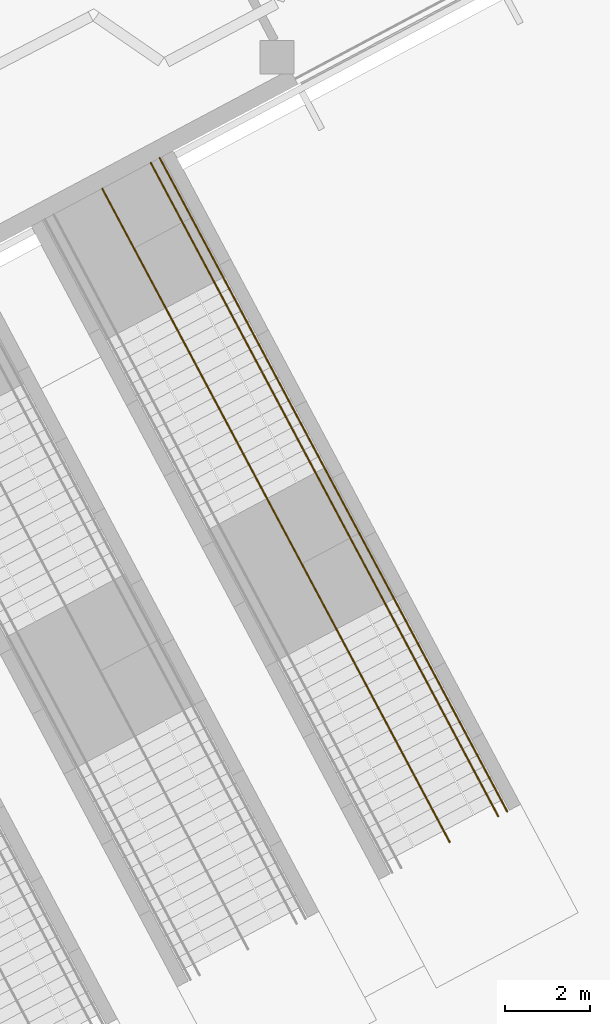
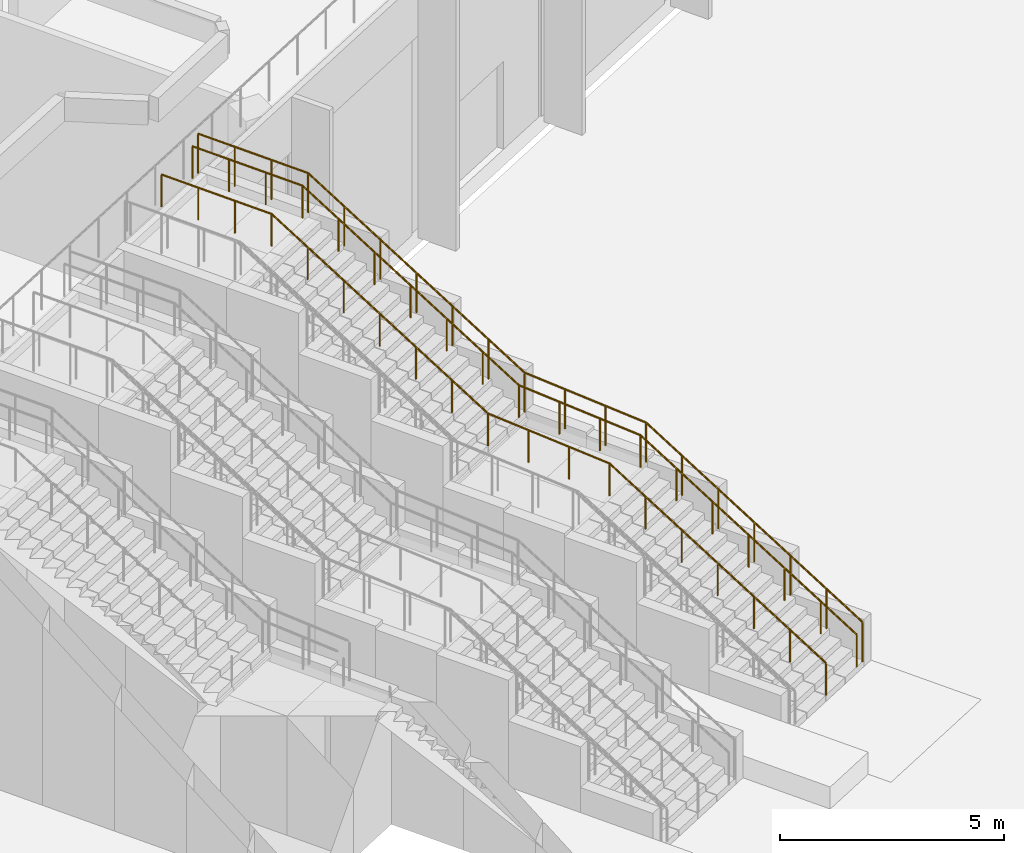
# One storey, part 50 of 57: 3 railings.
"""IFC4 building model written with IfcOpenShell, lengths in metres."""

from ifc_helpers import new_model, si_unit, direction, frame, origin, place, context, subcontext, project, spatial, polyline, outline, extrude, material, type_object, element, save


model = new_model("IFC4")

# Units and contexts
model_context = context("Model", 3, precision=1e-05, world=origin(), true_north=direction((0.0, 1.0)))
body_context = subcontext(model_context, "Body", "Model", "MODEL_VIEW")
ifc_project = project(units=[si_unit("LENGTHUNIT", "METRE"), si_unit("AREAUNIT", "SQUARE_METRE"), si_unit("VOLUMEUNIT", "CUBIC_METRE"), si_unit("PLANEANGLEUNIT", "RADIAN"), si_unit("MASSUNIT", "GRAM", prefix="KILO")], contexts=[model_context])

# Site, building, storey
site_placement = place(None, origin())
site = spatial("IfcSite", under=ifc_project, at=site_placement, CompositionType="ELEMENT")
building_placement = place(site_placement, origin())
building = spatial("IfcBuilding", under=site, at=building_placement, Name="Cormorant Relay Tower", CompositionType="ELEMENT")
storey_placement = place(building_placement, origin())
storey = spatial("IfcBuildingStorey", under=building, at=storey_placement, Name="L00", CompositionType="ELEMENT", Elevation=0.0)

# Railings
ifc_material_1 = material(Name="Stainless steel 316", Category="steel")
railing_type_1 = type_object("IfcRailingType", Name="Podium stair handrail 900", PredefinedType="HANDRAIL", material=ifc_material_1)
railing_1_placement = place(storey_placement, frame((47.99072265625, -11.857666015625, 7.0)))
element("IfcRailing", 1, at=railing_1_placement, inside=storey, type_object=railing_type_1, Name="Stair handrail", PredefinedType="HANDRAIL", context=body_context, shape_type="SweptSolid", body=[
    extrude(outline(polyline([(0.022216796875, 0.00927734375), (0.00927734375, 0.022216796875), (-0.00927734375, 0.022216796875), (-0.022216796875, 0.00927734375), (-0.022216796875, -0.00927734375), (-0.00927734375, -0.022216796875), (0.00927734375, -0.022216796875), (0.022216796875, -0.00927734375), (0.022216796875, 0.00927734375)])), frame((0.0, 0.0, 0.8759765625), z_axis=(0.469434248776, -0.882967432059, 0.0), x_axis=(0.882967432059, 0.469434248776, 0.0)), (0.0, 0.0, 1.0), 2.89990234375),
    extrude(outline(polyline([(0.022216796875, 0.00927734375), (0.00927734375, 0.022216796875), (-0.00927734375, 0.022216796875), (-0.022216796875, 0.00927734375), (-0.022216796875, -0.00927734375), (-0.00927734375, -0.022216796875), (0.00927734375, -0.022216796875), (0.022216796875, -0.00927734375), (0.022216796875, 0.00927734375)])), frame((1.361328125, -2.560546875, 0.8759765625), z_axis=(0.4055184971, -0.762682585322, -0.503855160296), x_axis=(0.882950964929, 0.46946522079, 0.0)), (0.0, 0.0, 1.0), 6.59912109375),
    extrude(outline(polyline([(0.022216796875, 0.00927734375), (0.00927734375, 0.022216796875), (-0.00927734375, 0.022216796875), (-0.022216796875, 0.00927734375), (-0.022216796875, -0.00927734375), (-0.00927734375, -0.022216796875), (0.00927734375, -0.022216796875), (0.022216796875, -0.00927734375), (0.022216796875, 0.00927734375)])), frame((4.037353515625, -7.593505859375, -2.44921875), z_axis=(0.468802026207, -0.881612910187, -0.05461993058), x_axis=(0.88293093413, 0.469502891958, 0.0)), (0.0, 0.0, 1.0), 3.204833984375),
    extrude(outline(polyline([(0.022216796875, 0.00927734375), (0.00927734375, 0.022216796875), (-0.00927734375, 0.022216796875), (-0.022216796875, 0.00927734375), (-0.022216796875, -0.00927734375), (-0.00927734375, -0.022216796875), (0.00927734375, -0.022216796875), (0.022216796875, -0.00927734375), (0.022216796875, 0.00927734375)])), frame((5.539794921875, -10.4189453125, -2.6240234375), z_axis=(0.405499025835, -0.762678550964, -0.503876937304), x_axis=(0.88295927941, 0.469449582921, 0.0)), (0.0, 0.0, 1.0), 6.5986328125),
    extrude(outline(polyline([(0.019287109375, 0.008056640625), (0.008056640625, 0.019287109375), (-0.008056640625, 0.019287109375), (-0.019287109375, 0.008056640625), (-0.019287109375, -0.008056640625), (-0.008056640625, -0.019287109375), (0.008056640625, -0.019287109375), (0.019287109375, -0.008056640625), (0.019287109375, 0.008056640625)])), origin(), (0.0, 0.0, 1.0), 0.851806640625),
    extrude(outline(polyline([(0.019287109375, 0.008056640625), (0.008056640625, 0.019287109375), (-0.008056640625, 0.019287109375), (-0.019287109375, 0.008056640625), (-0.019287109375, -0.008056640625), (-0.008056640625, -0.019287109375), (0.008056640625, -0.019287109375), (0.019287109375, -0.008056640625), (0.019287109375, 0.008056640625)])), frame((0.453857421875, -0.853515625, 0.0)), (0.0, 0.0, 1.0), 0.851806640625),
    extrude(outline(polyline([(0.019287109375, 0.008056640625), (0.008056640625, 0.019287109375), (-0.008056640625, 0.019287109375), (-0.019287109375, 0.008056640625), (-0.019287109375, -0.008056640625), (-0.008056640625, -0.019287109375), (0.008056640625, -0.019287109375), (0.019287109375, -0.008056640625), (0.019287109375, 0.008056640625)])), frame((0.907470703125, -1.70703125, 0.0)), (0.0, 0.0, 1.0), 0.851806640625),
    extrude(outline(polyline([(0.019287109375, 0.008056640625), (0.008056640625, 0.019287109375), (-0.008056640625, 0.019287109375), (-0.019287109375, 0.008056640625), (-0.019287109375, -0.008056640625), (-0.008056640625, -0.019287109375), (0.008056640625, -0.019287109375), (0.019287109375, -0.008056640625), (0.019287109375, 0.008056640625)])), frame((1.361328125, -2.560546875, 0.0)), (0.0, 0.0, 1.0), 0.851806640625),
    extrude(outline(polyline([(0.019287109375, 0.008056640625), (0.008056640625, 0.019287109375), (-0.008056640625, 0.019287109375), (-0.019287109375, 0.008056640625), (-0.019287109375, -0.008056640625), (-0.008056640625, -0.019287109375), (0.008056640625, -0.019287109375), (0.019287109375, -0.008056640625), (0.019287109375, 0.008056640625)])), frame((1.807373046875, -3.3994140625, -0.55419921875)), (0.0, 0.0, 1.0), 0.851806640625),
    extrude(outline(polyline([(0.019287109375, 0.008056640625), (0.008056640625, 0.019287109375), (-0.008056640625, 0.019287109375), (-0.019287109375, 0.008056640625), (-0.019287109375, -0.008056640625), (-0.008056640625, -0.019287109375), (0.008056640625, -0.019287109375), (0.019287109375, -0.008056640625), (0.019287109375, 0.008056640625)])), frame((2.25341796875, -4.23828125, -1.1083984375)), (0.0, 0.0, 1.0), 0.851806640625),
    extrude(outline(polyline([(0.019287109375, 0.008056640625), (0.008056640625, 0.019287109375), (-0.008056640625, 0.019287109375), (-0.019287109375, 0.008056640625), (-0.019287109375, -0.008056640625), (-0.008056640625, -0.019287109375), (0.008056640625, -0.019287109375), (0.019287109375, -0.008056640625), (0.019287109375, 0.008056640625)])), frame((2.69921875, -5.0771484375, -1.66259765625)), (0.0, 0.0, 1.0), 0.851806640625),
    extrude(outline(polyline([(0.019287109375, 0.008056640625), (0.008056640625, 0.019287109375), (-0.008056640625, 0.019287109375), (-0.019287109375, 0.008056640625), (-0.019287109375, -0.008056640625), (-0.008056640625, -0.019287109375), (0.008056640625, -0.019287109375), (0.019287109375, -0.008056640625), (0.019287109375, 0.008056640625)])), frame((3.145263671875, -5.915771484375, -2.216552734375)), (0.0, 0.0, 1.0), 0.851806640625),
    extrude(outline(polyline([(0.019287109375, 0.008056640625), (0.008056640625, 0.019287109375), (-0.008056640625, 0.019287109375), (-0.019287109375, 0.008056640625), (-0.019287109375, -0.008056640625), (-0.008056640625, -0.019287109375), (0.008056640625, -0.019287109375), (0.019287109375, -0.008056640625), (0.019287109375, 0.008056640625)])), frame((3.59130859375, -6.754638671875, -2.770751953125)), (0.0, 0.0, 1.0), 0.851806640625),
    extrude(outline(polyline([(0.019287109375, 0.008056640625), (0.008056640625, 0.019287109375), (-0.008056640625, 0.019287109375), (-0.019287109375, 0.008056640625), (-0.019287109375, -0.008056640625), (-0.008056640625, -0.019287109375), (0.008056640625, -0.019287109375), (0.019287109375, -0.008056640625), (0.019287109375, 0.008056640625)])), frame((4.037353515625, -7.593505859375, -3.324951171875)), (0.0, 0.0, 1.0), 0.851806640625),
    extrude(outline(polyline([(0.019287109375, 0.008056640625), (0.008056640625, 0.019287109375), (-0.008056640625, 0.019287109375), (-0.019287109375, 0.008056640625), (-0.019287109375, -0.008056640625), (-0.008056640625, -0.019287109375), (0.008056640625, -0.019287109375), (0.019287109375, -0.008056640625), (0.019287109375, 0.008056640625)])), frame((4.5380859375, -8.535400390625, -3.38330078125)), (0.0, 0.0, 1.0), 0.851806640625),
    extrude(outline(polyline([(0.019287109375, 0.008056640625), (0.008056640625, 0.019287109375), (-0.008056640625, 0.019287109375), (-0.019287109375, 0.008056640625), (-0.019287109375, -0.008056640625), (-0.008056640625, -0.019287109375), (0.008056640625, -0.019287109375), (0.019287109375, -0.008056640625), (0.019287109375, 0.008056640625)])), frame((5.0390625, -9.47705078125, -3.441650390625)), (0.0, 0.0, 1.0), 0.851806640625),
    extrude(outline(polyline([(0.019287109375, 0.008056640625), (0.008056640625, 0.019287109375), (-0.008056640625, 0.019287109375), (-0.019287109375, 0.008056640625), (-0.019287109375, -0.008056640625), (-0.008056640625, -0.019287109375), (0.008056640625, -0.019287109375), (0.019287109375, -0.008056640625), (0.019287109375, 0.008056640625)])), frame((5.539794921875, -10.4189453125, -3.5)), (0.0, 0.0, 1.0), 0.851806640625),
    extrude(outline(polyline([(0.019287109375, 0.008056640625), (0.008056640625, 0.019287109375), (-0.008056640625, 0.019287109375), (-0.019287109375, 0.008056640625), (-0.019287109375, -0.008056640625), (-0.008056640625, -0.019287109375), (0.008056640625, -0.019287109375), (0.019287109375, -0.008056640625), (0.019287109375, 0.008056640625)])), frame((5.98583984375, -11.2578125, -4.05419921875)), (0.0, 0.0, 1.0), 0.851806640625),
    extrude(outline(polyline([(0.019287109375, 0.008056640625), (0.008056640625, 0.019287109375), (-0.008056640625, 0.019287109375), (-0.019287109375, 0.008056640625), (-0.019287109375, -0.008056640625), (-0.008056640625, -0.019287109375), (0.008056640625, -0.019287109375), (0.019287109375, -0.008056640625), (0.019287109375, 0.008056640625)])), frame((6.431640625, -12.096435546875, -4.6083984375)), (0.0, 0.0, 1.0), 0.851806640625),
    extrude(outline(polyline([(0.019287109375, 0.008056640625), (0.008056640625, 0.019287109375), (-0.008056640625, 0.019287109375), (-0.019287109375, 0.008056640625), (-0.019287109375, -0.008056640625), (-0.008056640625, -0.019287109375), (0.008056640625, -0.019287109375), (0.019287109375, -0.008056640625), (0.019287109375, 0.008056640625)])), frame((6.877685546875, -12.935302734375, -5.16259765625)), (0.0, 0.0, 1.0), 0.851806640625),
    extrude(outline(polyline([(0.019287109375, 0.008056640625), (0.008056640625, 0.019287109375), (-0.008056640625, 0.019287109375), (-0.019287109375, 0.008056640625), (-0.019287109375, -0.008056640625), (-0.008056640625, -0.019287109375), (0.008056640625, -0.019287109375), (0.019287109375, -0.008056640625), (0.019287109375, 0.008056640625)])), frame((7.32373046875, -13.774169921875, -5.716552734375)), (0.0, 0.0, 1.0), 0.851806640625),
    extrude(outline(polyline([(0.019287109375, 0.008056640625), (0.008056640625, 0.019287109375), (-0.008056640625, 0.019287109375), (-0.019287109375, 0.008056640625), (-0.019287109375, -0.008056640625), (-0.008056640625, -0.019287109375), (0.008056640625, -0.019287109375), (0.019287109375, -0.008056640625), (0.019287109375, 0.008056640625)])), frame((7.76953125, -14.61279296875, -6.270751953125)), (0.0, 0.0, 1.0), 0.851806640625),
    extrude(outline(polyline([(0.019287109375, 0.008056640625), (0.008056640625, 0.019287109375), (-0.008056640625, 0.019287109375), (-0.019287109375, 0.008056640625), (-0.019287109375, -0.008056640625), (-0.008056640625, -0.019287109375), (0.008056640625, -0.019287109375), (0.019287109375, -0.008056640625), (0.019287109375, 0.008056640625)])), frame((8.215576171875, -15.45166015625, -6.824951171875)), (0.0, 0.0, 1.0), 0.851806640625),
])
railing_2_placement = place(storey_placement, frame((49.138427734375, -11.247314453125, 7.0)))
element("IfcRailing", 2, at=railing_2_placement, inside=storey, type_object=railing_type_1, Name="Stair handrail", PredefinedType="HANDRAIL", context=body_context, shape_type="SweptSolid", body=[
    extrude(outline(polyline([(0.022216796875, 0.00927734375), (0.00927734375, 0.022216796875), (-0.00927734375, 0.022216796875), (-0.022216796875, 0.00927734375), (-0.022216796875, -0.00927734375), (-0.00927734375, -0.022216796875), (0.00927734375, -0.022216796875), (0.022216796875, -0.00927734375), (0.022216796875, 0.00927734375)])), frame((0.0, 0.0, 0.8759765625), z_axis=(0.469464985218, -0.882951090183, 0.0), x_axis=(0.882951090183, 0.469464985218, 0.0)), (0.0, 0.0, 1.0), 2.900146484375),
    extrude(outline(polyline([(0.022216796875, 0.00927734375), (0.00927734375, 0.022216796875), (-0.00927734375, 0.022216796875), (-0.022216796875, 0.00927734375), (-0.022216796875, -0.00927734375), (-0.00927734375, -0.022216796875), (0.00927734375, -0.022216796875), (0.022216796875, -0.00927734375), (0.022216796875, 0.00927734375)])), frame((1.361572265625, -2.560791015625, 0.8759765625), z_axis=(0.405499025835, -0.762678550964, -0.503876937304), x_axis=(0.88295927941, 0.469449582921, 0.0)), (0.0, 0.0, 1.0), 6.5986328125),
    extrude(outline(polyline([(0.022216796875, 0.00927734375), (0.00927734375, 0.022216796875), (-0.00927734375, 0.022216796875), (-0.022216796875, 0.00927734375), (-0.022216796875, -0.00927734375), (-0.00927734375, -0.022216796875), (0.00927734375, -0.022216796875), (0.022216796875, -0.00927734375), (0.022216796875, 0.00927734375)])), frame((4.037353515625, -7.593505859375, -2.44921875), z_axis=(0.468802026207, -0.881612910187, -0.05461993058), x_axis=(0.88293093413, 0.469502891958, 0.0)), (0.0, 0.0, 1.0), 3.204833984375),
    extrude(outline(polyline([(0.022216796875, 0.00927734375), (0.00927734375, 0.022216796875), (-0.00927734375, 0.022216796875), (-0.022216796875, 0.00927734375), (-0.022216796875, -0.00927734375), (-0.00927734375, -0.022216796875), (0.00927734375, -0.022216796875), (0.022216796875, -0.00927734375), (0.022216796875, 0.00927734375)])), frame((5.539794921875, -10.4189453125, -2.6240234375), z_axis=(0.40552993965, -0.762667108471, -0.50386937762), x_axis=(0.882941524652, 0.469482975245, 0.0)), (0.0, 0.0, 1.0), 6.598876953125),
    extrude(outline(polyline([(0.019287109375, 0.008056640625), (0.008056640625, 0.019287109375), (-0.008056640625, 0.019287109375), (-0.019287109375, 0.008056640625), (-0.019287109375, -0.008056640625), (-0.008056640625, -0.019287109375), (0.008056640625, -0.019287109375), (0.019287109375, -0.008056640625), (0.019287109375, 0.008056640625)])), origin(), (0.0, 0.0, 1.0), 0.851806640625),
    extrude(outline(polyline([(0.019287109375, 0.008056640625), (0.008056640625, 0.019287109375), (-0.008056640625, 0.019287109375), (-0.019287109375, 0.008056640625), (-0.019287109375, -0.008056640625), (-0.008056640625, -0.019287109375), (0.008056640625, -0.019287109375), (0.019287109375, -0.008056640625), (0.019287109375, 0.008056640625)])), frame((0.453857421875, -0.853515625, 0.0)), (0.0, 0.0, 1.0), 0.851806640625),
    extrude(outline(polyline([(0.019287109375, 0.008056640625), (0.008056640625, 0.019287109375), (-0.008056640625, 0.019287109375), (-0.019287109375, 0.008056640625), (-0.019287109375, -0.008056640625), (-0.008056640625, -0.019287109375), (0.008056640625, -0.019287109375), (0.019287109375, -0.008056640625), (0.019287109375, 0.008056640625)])), frame((0.90771484375, -1.707275390625, 0.0)), (0.0, 0.0, 1.0), 0.851806640625),
    extrude(outline(polyline([(0.019287109375, 0.008056640625), (0.008056640625, 0.019287109375), (-0.008056640625, 0.019287109375), (-0.019287109375, 0.008056640625), (-0.019287109375, -0.008056640625), (-0.008056640625, -0.019287109375), (0.008056640625, -0.019287109375), (0.019287109375, -0.008056640625), (0.019287109375, 0.008056640625)])), frame((1.361572265625, -2.560791015625, 0.0)), (0.0, 0.0, 1.0), 0.851806640625),
    extrude(outline(polyline([(0.019287109375, 0.008056640625), (0.008056640625, 0.019287109375), (-0.008056640625, 0.019287109375), (-0.019287109375, 0.008056640625), (-0.019287109375, -0.008056640625), (-0.008056640625, -0.019287109375), (0.008056640625, -0.019287109375), (0.019287109375, -0.008056640625), (0.019287109375, 0.008056640625)])), frame((1.8076171875, -3.399658203125, -0.55419921875)), (0.0, 0.0, 1.0), 0.851806640625),
    extrude(outline(polyline([(0.019287109375, 0.008056640625), (0.008056640625, 0.019287109375), (-0.008056640625, 0.019287109375), (-0.019287109375, 0.008056640625), (-0.019287109375, -0.008056640625), (-0.008056640625, -0.019287109375), (0.008056640625, -0.019287109375), (0.019287109375, -0.008056640625), (0.019287109375, 0.008056640625)])), frame((2.25341796875, -4.23828125, -1.1083984375)), (0.0, 0.0, 1.0), 0.851806640625),
    extrude(outline(polyline([(0.019287109375, 0.008056640625), (0.008056640625, 0.019287109375), (-0.008056640625, 0.019287109375), (-0.019287109375, 0.008056640625), (-0.019287109375, -0.008056640625), (-0.008056640625, -0.019287109375), (0.008056640625, -0.019287109375), (0.019287109375, -0.008056640625), (0.019287109375, 0.008056640625)])), frame((2.699462890625, -5.0771484375, -1.66259765625)), (0.0, 0.0, 1.0), 0.851806640625),
    extrude(outline(polyline([(0.019287109375, 0.008056640625), (0.008056640625, 0.019287109375), (-0.008056640625, 0.019287109375), (-0.019287109375, 0.008056640625), (-0.019287109375, -0.008056640625), (-0.008056640625, -0.019287109375), (0.008056640625, -0.019287109375), (0.019287109375, -0.008056640625), (0.019287109375, 0.008056640625)])), frame((3.1455078125, -5.916015625, -2.216552734375)), (0.0, 0.0, 1.0), 0.851806640625),
    extrude(outline(polyline([(0.019287109375, 0.008056640625), (0.008056640625, 0.019287109375), (-0.008056640625, 0.019287109375), (-0.019287109375, 0.008056640625), (-0.019287109375, -0.008056640625), (-0.008056640625, -0.019287109375), (0.008056640625, -0.019287109375), (0.019287109375, -0.008056640625), (0.019287109375, 0.008056640625)])), frame((3.59130859375, -6.754638671875, -2.770751953125)), (0.0, 0.0, 1.0), 0.851806640625),
    extrude(outline(polyline([(0.019287109375, 0.008056640625), (0.008056640625, 0.019287109375), (-0.008056640625, 0.019287109375), (-0.019287109375, 0.008056640625), (-0.019287109375, -0.008056640625), (-0.008056640625, -0.019287109375), (0.008056640625, -0.019287109375), (0.019287109375, -0.008056640625), (0.019287109375, 0.008056640625)])), frame((4.037353515625, -7.593505859375, -3.324951171875)), (0.0, 0.0, 1.0), 0.851806640625),
    extrude(outline(polyline([(0.019287109375, 0.008056640625), (0.008056640625, 0.019287109375), (-0.008056640625, 0.019287109375), (-0.019287109375, 0.008056640625), (-0.019287109375, -0.008056640625), (-0.008056640625, -0.019287109375), (0.008056640625, -0.019287109375), (0.019287109375, -0.008056640625), (0.019287109375, 0.008056640625)])), frame((4.5380859375, -8.535400390625, -3.38330078125)), (0.0, 0.0, 1.0), 0.851806640625),
    extrude(outline(polyline([(0.019287109375, 0.008056640625), (0.008056640625, 0.019287109375), (-0.008056640625, 0.019287109375), (-0.019287109375, 0.008056640625), (-0.019287109375, -0.008056640625), (-0.008056640625, -0.019287109375), (0.008056640625, -0.019287109375), (0.019287109375, -0.008056640625), (0.019287109375, 0.008056640625)])), frame((5.0390625, -9.47705078125, -3.441650390625)), (0.0, 0.0, 1.0), 0.851806640625),
    extrude(outline(polyline([(0.019287109375, 0.008056640625), (0.008056640625, 0.019287109375), (-0.008056640625, 0.019287109375), (-0.019287109375, 0.008056640625), (-0.019287109375, -0.008056640625), (-0.008056640625, -0.019287109375), (0.008056640625, -0.019287109375), (0.019287109375, -0.008056640625), (0.019287109375, 0.008056640625)])), frame((5.539794921875, -10.4189453125, -3.5)), (0.0, 0.0, 1.0), 0.851806640625),
    extrude(outline(polyline([(0.019287109375, 0.008056640625), (0.008056640625, 0.019287109375), (-0.008056640625, 0.019287109375), (-0.019287109375, 0.008056640625), (-0.019287109375, -0.008056640625), (-0.008056640625, -0.019287109375), (0.008056640625, -0.019287109375), (0.019287109375, -0.008056640625), (0.019287109375, 0.008056640625)])), frame((5.98583984375, -11.2578125, -4.05419921875)), (0.0, 0.0, 1.0), 0.851806640625),
    extrude(outline(polyline([(0.019287109375, 0.008056640625), (0.008056640625, 0.019287109375), (-0.008056640625, 0.019287109375), (-0.019287109375, 0.008056640625), (-0.019287109375, -0.008056640625), (-0.008056640625, -0.019287109375), (0.008056640625, -0.019287109375), (0.019287109375, -0.008056640625), (0.019287109375, 0.008056640625)])), frame((6.431884765625, -12.096435546875, -4.6083984375)), (0.0, 0.0, 1.0), 0.851806640625),
    extrude(outline(polyline([(0.019287109375, 0.008056640625), (0.008056640625, 0.019287109375), (-0.008056640625, 0.019287109375), (-0.019287109375, 0.008056640625), (-0.019287109375, -0.008056640625), (-0.008056640625, -0.019287109375), (0.008056640625, -0.019287109375), (0.019287109375, -0.008056640625), (0.019287109375, 0.008056640625)])), frame((6.8779296875, -12.935302734375, -5.16259765625)), (0.0, 0.0, 1.0), 0.851806640625),
    extrude(outline(polyline([(0.019287109375, 0.008056640625), (0.008056640625, 0.019287109375), (-0.008056640625, 0.019287109375), (-0.019287109375, 0.008056640625), (-0.019287109375, -0.008056640625), (-0.008056640625, -0.019287109375), (0.008056640625, -0.019287109375), (0.019287109375, -0.008056640625), (0.019287109375, 0.008056640625)])), frame((7.32373046875, -13.774169921875, -5.716552734375)), (0.0, 0.0, 1.0), 0.851806640625),
    extrude(outline(polyline([(0.019287109375, 0.008056640625), (0.008056640625, 0.019287109375), (-0.008056640625, 0.019287109375), (-0.019287109375, 0.008056640625), (-0.019287109375, -0.008056640625), (-0.008056640625, -0.019287109375), (0.008056640625, -0.019287109375), (0.019287109375, -0.008056640625), (0.019287109375, 0.008056640625)])), frame((7.769775390625, -14.61279296875, -6.270751953125)), (0.0, 0.0, 1.0), 0.851806640625),
    extrude(outline(polyline([(0.019287109375, 0.008056640625), (0.008056640625, 0.019287109375), (-0.008056640625, 0.019287109375), (-0.019287109375, 0.008056640625), (-0.019287109375, -0.008056640625), (-0.008056640625, -0.019287109375), (0.008056640625, -0.019287109375), (0.019287109375, -0.008056640625), (0.019287109375, 0.008056640625)])), frame((8.2158203125, -15.45166015625, -6.824951171875)), (0.0, 0.0, 1.0), 0.851806640625),
])
ifc_material_2 = material(Name="Bronze anodised aluminium", Category="aluminium")
railing_type_2 = type_object("IfcRailingType", Name="Stair guard steel 1100", PredefinedType="GUARDRAIL", material=ifc_material_2)
railing_3_placement = place(storey_placement, frame((49.350341796875, -11.134765625, 7.0)))
element("IfcRailing", 3, at=railing_3_placement, inside=storey, type_object=railing_type_2, Name="Stair guard", PredefinedType="GUARDRAIL", context=body_context, shape_type="SweptSolid", body=[
    extrude(outline(polyline([(0.022216796875, 0.00927734375), (0.00927734375, 0.022216796875), (-0.00927734375, 0.022216796875), (-0.022216796875, 0.00927734375), (-0.022216796875, -0.00927734375), (-0.00927734375, -0.022216796875), (0.00927734375, -0.022216796875), (0.022216796875, -0.00927734375), (0.022216796875, 0.00927734375)])), frame((0.0, 0.0, 1.076171875), z_axis=(0.469499880774, -0.882932535335, 0.0), x_axis=(0.882932535335, 0.469499880774, 0.0)), (0.0, 0.0, 1.0), 2.900146484375),
    extrude(outline(polyline([(0.022216796875, 0.00927734375), (0.00927734375, 0.022216796875), (-0.00927734375, 0.022216796875), (-0.022216796875, 0.00927734375), (-0.022216796875, -0.00927734375), (-0.00927734375, -0.022216796875), (0.00927734375, -0.022216796875), (0.022216796875, -0.00927734375), (0.022216796875, 0.00927734375)])), frame((1.361572265625, -2.560546875, 1.076171875), z_axis=(0.405499025835, -0.762678550964, -0.503876937304), x_axis=(0.88295927941, 0.469449582921, 0.0)), (0.0, 0.0, 1.0), 6.5986328125),
    extrude(outline(polyline([(0.022216796875, 0.00927734375), (0.00927734375, 0.022216796875), (-0.00927734375, 0.022216796875), (-0.022216796875, 0.00927734375), (-0.022216796875, -0.00927734375), (-0.00927734375, -0.022216796875), (0.00927734375, -0.022216796875), (0.022216796875, -0.00927734375), (0.022216796875, 0.00927734375)])), frame((4.037353515625, -7.59326171875, -2.2490234375), z_axis=(0.468802026207, -0.881612910187, -0.05461993058), x_axis=(0.88293093413, 0.469502891958, 0.0)), (0.0, 0.0, 1.0), 3.204833984375),
    extrude(outline(polyline([(0.022216796875, 0.00927734375), (0.00927734375, 0.022216796875), (-0.00927734375, 0.022216796875), (-0.022216796875, 0.00927734375), (-0.022216796875, -0.00927734375), (-0.00927734375, -0.022216796875), (0.00927734375, -0.022216796875), (0.022216796875, -0.00927734375), (0.022216796875, 0.00927734375)])), frame((5.539794921875, -10.418701171875, -2.423828125), z_axis=(0.40552993965, -0.762667108471, -0.50386937762), x_axis=(0.882941524652, 0.469482975245, 0.0)), (0.0, 0.0, 1.0), 6.598876953125),
    extrude(outline(polyline([(0.019287109375, 0.008056640625), (0.008056640625, 0.019287109375), (-0.008056640625, 0.019287109375), (-0.019287109375, 0.008056640625), (-0.019287109375, -0.008056640625), (-0.008056640625, -0.019287109375), (0.008056640625, -0.019287109375), (0.019287109375, -0.008056640625), (0.019287109375, 0.008056640625)])), origin(), (0.0, 0.0, 1.0), 1.052001953125),
    extrude(outline(polyline([(0.019287109375, 0.008056640625), (0.008056640625, 0.019287109375), (-0.008056640625, 0.019287109375), (-0.019287109375, 0.008056640625), (-0.019287109375, -0.008056640625), (-0.008056640625, -0.019287109375), (0.008056640625, -0.019287109375), (0.019287109375, -0.008056640625), (0.019287109375, 0.008056640625)])), frame((0.453857421875, -0.853515625, 0.0)), (0.0, 0.0, 1.0), 1.052001953125),
    extrude(outline(polyline([(0.019287109375, 0.008056640625), (0.008056640625, 0.019287109375), (-0.008056640625, 0.019287109375), (-0.019287109375, 0.008056640625), (-0.019287109375, -0.008056640625), (-0.008056640625, -0.019287109375), (0.008056640625, -0.019287109375), (0.019287109375, -0.008056640625), (0.019287109375, 0.008056640625)])), frame((0.90771484375, -1.70703125, 0.0)), (0.0, 0.0, 1.0), 1.052001953125),
    extrude(outline(polyline([(0.019287109375, 0.008056640625), (0.008056640625, 0.019287109375), (-0.008056640625, 0.019287109375), (-0.019287109375, 0.008056640625), (-0.019287109375, -0.008056640625), (-0.008056640625, -0.019287109375), (0.008056640625, -0.019287109375), (0.019287109375, -0.008056640625), (0.019287109375, 0.008056640625)])), frame((1.361572265625, -2.560546875, 0.0)), (0.0, 0.0, 1.0), 1.052001953125),
    extrude(outline(polyline([(0.019287109375, 0.008056640625), (0.008056640625, 0.019287109375), (-0.008056640625, 0.019287109375), (-0.019287109375, 0.008056640625), (-0.019287109375, -0.008056640625), (-0.008056640625, -0.019287109375), (0.008056640625, -0.019287109375), (0.019287109375, -0.008056640625), (0.019287109375, 0.008056640625)])), frame((1.8076171875, -3.3994140625, -0.55419921875)), (0.0, 0.0, 1.0), 1.052001953125),
    extrude(outline(polyline([(0.019287109375, 0.008056640625), (0.008056640625, 0.019287109375), (-0.008056640625, 0.019287109375), (-0.019287109375, 0.008056640625), (-0.019287109375, -0.008056640625), (-0.008056640625, -0.019287109375), (0.008056640625, -0.019287109375), (0.019287109375, -0.008056640625), (0.019287109375, 0.008056640625)])), frame((2.25341796875, -4.238037109375, -1.1083984375)), (0.0, 0.0, 1.0), 1.052001953125),
    extrude(outline(polyline([(0.019287109375, 0.008056640625), (0.008056640625, 0.019287109375), (-0.008056640625, 0.019287109375), (-0.019287109375, 0.008056640625), (-0.019287109375, -0.008056640625), (-0.008056640625, -0.019287109375), (0.008056640625, -0.019287109375), (0.019287109375, -0.008056640625), (0.019287109375, 0.008056640625)])), frame((2.699462890625, -5.076904296875, -1.66259765625)), (0.0, 0.0, 1.0), 1.052001953125),
    extrude(outline(polyline([(0.019287109375, 0.008056640625), (0.008056640625, 0.019287109375), (-0.008056640625, 0.019287109375), (-0.019287109375, 0.008056640625), (-0.019287109375, -0.008056640625), (-0.008056640625, -0.019287109375), (0.008056640625, -0.019287109375), (0.019287109375, -0.008056640625), (0.019287109375, 0.008056640625)])), frame((3.1455078125, -5.915771484375, -2.216552734375)), (0.0, 0.0, 1.0), 1.052001953125),
    extrude(outline(polyline([(0.019287109375, 0.008056640625), (0.008056640625, 0.019287109375), (-0.008056640625, 0.019287109375), (-0.019287109375, 0.008056640625), (-0.019287109375, -0.008056640625), (-0.008056640625, -0.019287109375), (0.008056640625, -0.019287109375), (0.019287109375, -0.008056640625), (0.019287109375, 0.008056640625)])), frame((3.59130859375, -6.75439453125, -2.770751953125)), (0.0, 0.0, 1.0), 1.052001953125),
    extrude(outline(polyline([(0.019287109375, 0.008056640625), (0.008056640625, 0.019287109375), (-0.008056640625, 0.019287109375), (-0.019287109375, 0.008056640625), (-0.019287109375, -0.008056640625), (-0.008056640625, -0.019287109375), (0.008056640625, -0.019287109375), (0.019287109375, -0.008056640625), (0.019287109375, 0.008056640625)])), frame((4.037353515625, -7.59326171875, -3.324951171875)), (0.0, 0.0, 1.0), 1.052001953125),
    extrude(outline(polyline([(0.019287109375, 0.008056640625), (0.008056640625, 0.019287109375), (-0.008056640625, 0.019287109375), (-0.019287109375, 0.008056640625), (-0.019287109375, -0.008056640625), (-0.008056640625, -0.019287109375), (0.008056640625, -0.019287109375), (0.019287109375, -0.008056640625), (0.019287109375, 0.008056640625)])), frame((4.5380859375, -8.53515625, -3.38330078125)), (0.0, 0.0, 1.0), 1.052001953125),
    extrude(outline(polyline([(0.019287109375, 0.008056640625), (0.008056640625, 0.019287109375), (-0.008056640625, 0.019287109375), (-0.019287109375, 0.008056640625), (-0.019287109375, -0.008056640625), (-0.008056640625, -0.019287109375), (0.008056640625, -0.019287109375), (0.019287109375, -0.008056640625), (0.019287109375, 0.008056640625)])), frame((5.0390625, -9.476806640625, -3.441650390625)), (0.0, 0.0, 1.0), 1.052001953125),
    extrude(outline(polyline([(0.019287109375, 0.008056640625), (0.008056640625, 0.019287109375), (-0.008056640625, 0.019287109375), (-0.019287109375, 0.008056640625), (-0.019287109375, -0.008056640625), (-0.008056640625, -0.019287109375), (0.008056640625, -0.019287109375), (0.019287109375, -0.008056640625), (0.019287109375, 0.008056640625)])), frame((5.539794921875, -10.418701171875, -3.5)), (0.0, 0.0, 1.0), 1.052001953125),
    extrude(outline(polyline([(0.019287109375, 0.008056640625), (0.008056640625, 0.019287109375), (-0.008056640625, 0.019287109375), (-0.019287109375, 0.008056640625), (-0.019287109375, -0.008056640625), (-0.008056640625, -0.019287109375), (0.008056640625, -0.019287109375), (0.019287109375, -0.008056640625), (0.019287109375, 0.008056640625)])), frame((5.98583984375, -11.257568359375, -4.05419921875)), (0.0, 0.0, 1.0), 1.052001953125),
    extrude(outline(polyline([(0.019287109375, 0.008056640625), (0.008056640625, 0.019287109375), (-0.008056640625, 0.019287109375), (-0.019287109375, 0.008056640625), (-0.019287109375, -0.008056640625), (-0.008056640625, -0.019287109375), (0.008056640625, -0.019287109375), (0.019287109375, -0.008056640625), (0.019287109375, 0.008056640625)])), frame((6.431884765625, -12.09619140625, -4.6083984375)), (0.0, 0.0, 1.0), 1.052001953125),
    extrude(outline(polyline([(0.019287109375, 0.008056640625), (0.008056640625, 0.019287109375), (-0.008056640625, 0.019287109375), (-0.019287109375, 0.008056640625), (-0.019287109375, -0.008056640625), (-0.008056640625, -0.019287109375), (0.008056640625, -0.019287109375), (0.019287109375, -0.008056640625), (0.019287109375, 0.008056640625)])), frame((6.8779296875, -12.93505859375, -5.16259765625)), (0.0, 0.0, 1.0), 1.052001953125),
    extrude(outline(polyline([(0.019287109375, 0.008056640625), (0.008056640625, 0.019287109375), (-0.008056640625, 0.019287109375), (-0.019287109375, 0.008056640625), (-0.019287109375, -0.008056640625), (-0.008056640625, -0.019287109375), (0.008056640625, -0.019287109375), (0.019287109375, -0.008056640625), (0.019287109375, 0.008056640625)])), frame((7.32373046875, -13.77392578125, -5.716552734375)), (0.0, 0.0, 1.0), 1.052001953125),
    extrude(outline(polyline([(0.019287109375, 0.008056640625), (0.008056640625, 0.019287109375), (-0.008056640625, 0.019287109375), (-0.019287109375, 0.008056640625), (-0.019287109375, -0.008056640625), (-0.008056640625, -0.019287109375), (0.008056640625, -0.019287109375), (0.019287109375, -0.008056640625), (0.019287109375, 0.008056640625)])), frame((7.769775390625, -14.612548828125, -6.270751953125)), (0.0, 0.0, 1.0), 1.052001953125),
    extrude(outline(polyline([(0.019287109375, 0.008056640625), (0.008056640625, 0.019287109375), (-0.008056640625, 0.019287109375), (-0.019287109375, 0.008056640625), (-0.019287109375, -0.008056640625), (-0.008056640625, -0.019287109375), (0.008056640625, -0.019287109375), (0.019287109375, -0.008056640625), (0.019287109375, 0.008056640625)])), frame((8.2158203125, -15.451416015625, -6.824951171875)), (0.0, 0.0, 1.0), 1.052001953125),
])

save(model, "model.ifc")
